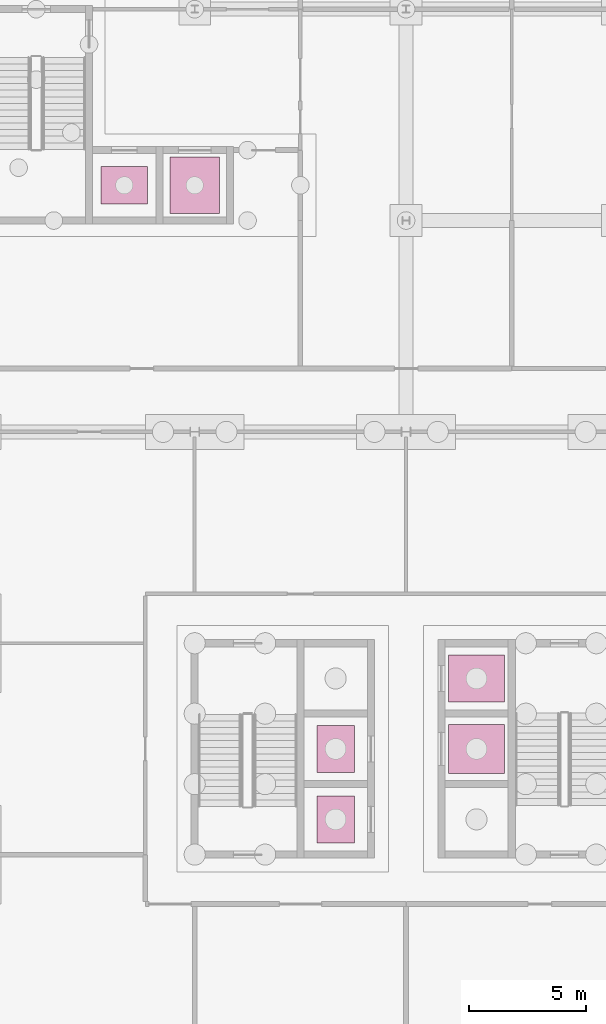
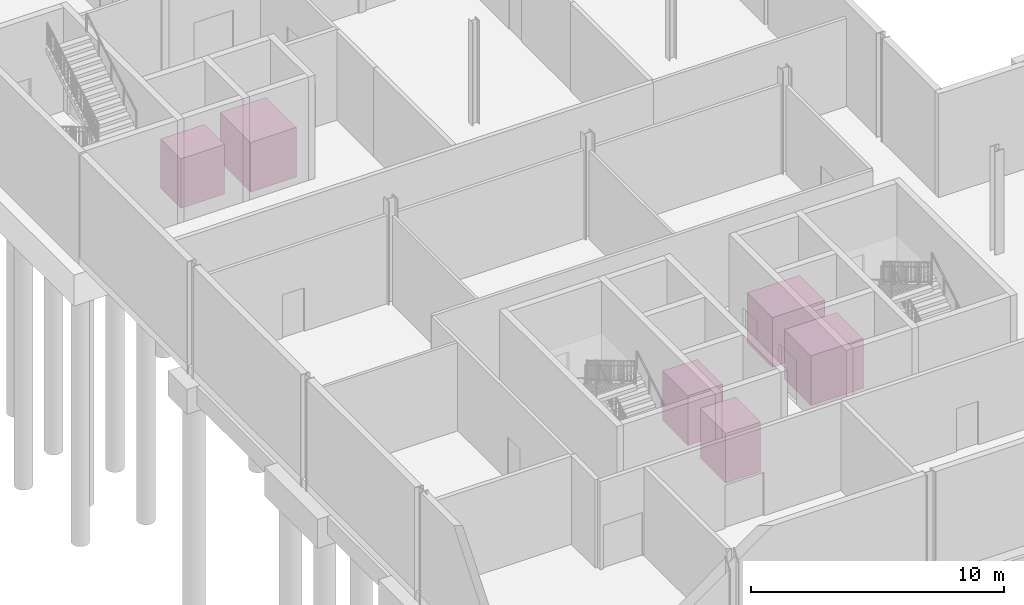
# One storey, part 25 of 25: 6 transport elements.
"""IFC4 building model written with IfcOpenShell, lengths in metres."""

from ifc_helpers import new_model, si_unit, direction, frame, origin, origin_2d, place, context, subcontext, project, spatial, rectangle, extrude, material, type_object, element, save


model = new_model("IFC4")

# Units and contexts
model_context = context("Model", 3, precision=1e-05, world=origin(), true_north=direction((0.0, 1.0)))
body_context = subcontext(model_context, "Body", "Model", "MODEL_VIEW")
ifc_project = project(units=[si_unit("LENGTHUNIT", "METRE"), si_unit("AREAUNIT", "SQUARE_METRE"), si_unit("VOLUMEUNIT", "CUBIC_METRE"), si_unit("PLANEANGLEUNIT", "RADIAN"), si_unit("MASSUNIT", "GRAM", prefix="KILO")], contexts=[model_context])

# Site, building, storey
site_placement = place(None, origin())
site = spatial("IfcSite", under=ifc_project, at=site_placement, CompositionType="ELEMENT")
building_placement = place(site_placement, origin())
building = spatial("IfcBuilding", under=site, at=building_placement, Name="Hortulan Conservatory and Botanical Research Centre", CompositionType="ELEMENT")
storey_placement = place(building_placement, frame((0.0, 0.0, -5.0)))
storey = spatial("IfcBuildingStorey", under=building, at=storey_placement, Name="B1", CompositionType="ELEMENT", Elevation=-5.0)

# Transport elements
ifc_material = material(Name="Stainless steel lift car lining", Category="steel")
transport_element_type_1 = type_object("IfcTransportElementType", Name="Emergency Lift Car 2000x2400", PredefinedType="ELEVATOR", material=ifc_material)
transport_element_1_placement = place(storey_placement, frame((21.0, 16.5, 0.0), z_axis=(0.0, 0.0, 1.0), x_axis=(1.0, 0.0, 0.0)))
element("IfcTransportElement", 1, at=transport_element_1_placement, inside=storey, type_object=transport_element_type_1, Name="Lift LF1 car", PredefinedType="ELEVATOR", context=body_context, shape_type="SweptSolid", body=[
    extrude(rectangle(XDim=2.39990234375, YDim=2.0, at=origin_2d()), origin(), (0.0, 0.0, 1.0), 2.39990234375),
])
transport_element_type_2 = type_object("IfcTransportElementType", Name="Goods Lift Car 2100x2400", PredefinedType="ELEVATOR", material=ifc_material)
transport_element_2_placement = place(storey_placement, frame((9.0, 37.5, 0.0), z_axis=(0.0, 0.0, 1.0), x_axis=(1.0, 0.0, 0.0)))
element("IfcTransportElement", 2, at=transport_element_2_placement, inside=storey, type_object=transport_element_type_2, Name="Lift LV2 car", PredefinedType="ELEVATOR", context=body_context, shape_type="SweptSolid", body=[
    extrude(rectangle(XDim=2.10009765625, YDim=2.39990234375, at=origin_2d()), origin(), (0.0, 0.0, 1.0), 2.39990234375),
])
transport_element_type_3 = type_object("IfcTransportElementType", Name="Goods and Emergency Lift Car 2100x2400", PredefinedType="ELEVATOR", material=ifc_material)
transport_element_3_placement = place(storey_placement, frame((21.0, 13.5, 0.0), z_axis=(0.0, 0.0, 1.0), x_axis=(1.0, 0.0, 0.0)))
element("IfcTransportElement", 3, at=transport_element_3_placement, inside=storey, type_object=transport_element_type_3, Name="Lift LG1 car", PredefinedType="ELEVATOR", context=body_context, shape_type="SweptSolid", body=[
    extrude(rectangle(XDim=2.39990234375, YDim=2.10009765625, at=origin_2d()), origin(), (0.0, 0.0, 1.0), 2.39990234375),
])
transport_element_type_4 = type_object("IfcTransportElementType", Name="Passenger Lift Car 2000x1600", PredefinedType="ELEVATOR", material=ifc_material)
for number, where, z_axis, x_axis, name in (
    (4, (15.0, 10.5, 0.0), (0.0, 0.0, 1.0), (1.0, 0.0, 0.0), "Lift LP1 car"),
    (5, (15.0, 13.5, 0.0), (0.0, 0.0, 1.0), (1.0, 0.0, 0.0), "Lift LP2 car"),
):
    element("IfcTransportElement", number, at=place(storey_placement, frame(where, z_axis=z_axis, x_axis=x_axis)), inside=storey, type_object=transport_element_type_4, Name=name, PredefinedType="ELEVATOR", context=body_context, shape_type="SweptSolid", body=[
        extrude(rectangle(XDim=1.60009765625, YDim=2.0, at=origin_2d()), origin(), (0.0, 0.0, 1.0), 2.39990234375),
    ])
transport_element_4_placement = place(storey_placement, frame((6.0, 37.5, 0.0), z_axis=(0.0, 0.0, 1.0), x_axis=(1.0, 0.0, 0.0)))
element("IfcTransportElement", 6, at=transport_element_4_placement, inside=storey, type_object=transport_element_type_4, Name="Lift LV1 car", PredefinedType="ELEVATOR", context=body_context, shape_type="SweptSolid", body=[
    extrude(rectangle(XDim=2.0, YDim=1.60009765625, at=origin_2d()), origin(), (0.0, 0.0, 1.0), 2.39990234375),
])

save(model, "model.ifc")
